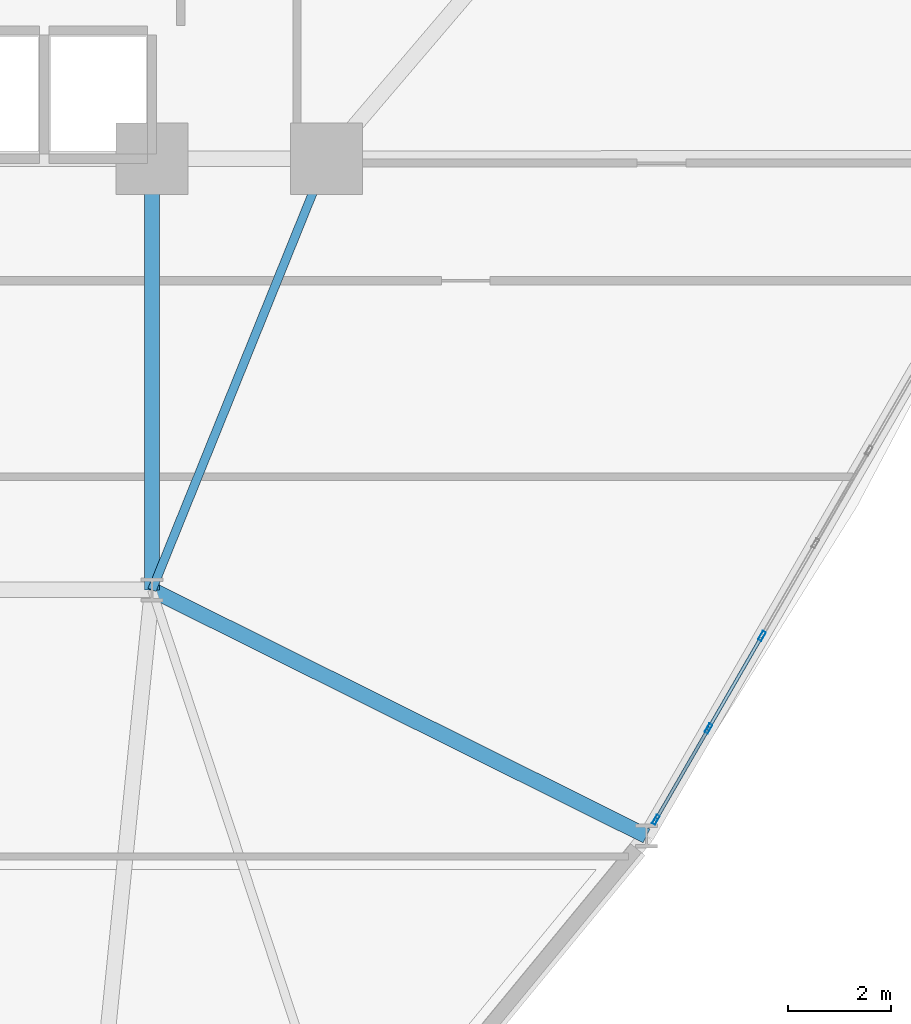
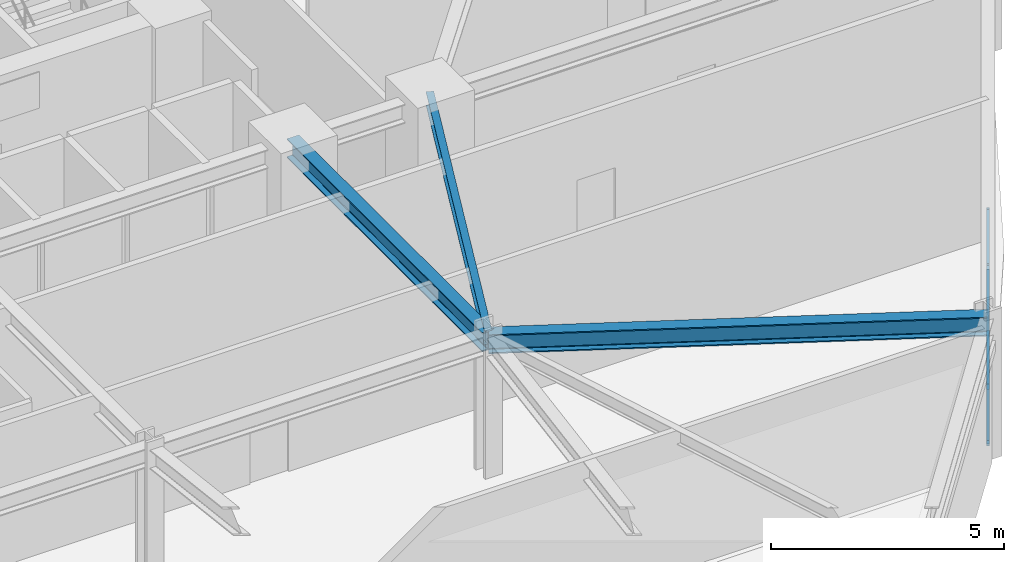
# One storey, part 6 of 20: 8 members, 3 beams, 1 element without a shape of its own.
"""IFC4 building model written with IfcOpenShell, lengths in metres."""

from ifc_helpers import new_model, si_unit, derived_unit, direction, frame, origin, origin_2d, place, context, subcontext, project, spatial, hollow_rectangle, i_section, extrude, source, transform, mapped, material, layer, layer_set, material_profile, profile_set, type_object, element, aggregate, save


model = new_model("IFC4")

# Units and contexts
model_context = context("Model", 3, precision=1e-05, world=origin(), true_north=direction((0.0, 1.0)))
body_context = subcontext(model_context, "Body", "Model", "MODEL_VIEW")
ifc_project = project(units=[si_unit("LENGTHUNIT", "METRE"), si_unit("AREAUNIT", "SQUARE_METRE"), si_unit("VOLUMEUNIT", "CUBIC_METRE"), si_unit("PLANEANGLEUNIT", "RADIAN"), si_unit("MASSUNIT", "GRAM", prefix="KILO"), derived_unit("THERMALTRANSMITTANCEUNIT", [(si_unit("POWERUNIT", "WATT"), 1), (si_unit("LENGTHUNIT", "METRE"), -2), (si_unit("THERMODYNAMICTEMPERATUREUNIT", "KELVIN"), -1)])], contexts=[model_context])

# Site, building, storey
site_placement = place(None, origin())
site = spatial("IfcSite", under=ifc_project, at=site_placement, CompositionType="ELEMENT")
building_placement = place(site_placement, origin())
building = spatial("IfcBuilding", under=site, at=building_placement, Name="Korsvarv Bourse and Concert Hall", CompositionType="ELEMENT")
storey_placement = place(building_placement, frame((0.0, 0.0, 67.800048828125)))
storey = spatial("IfcBuildingStorey", under=building, at=storey_placement, Name="L16", CompositionType="ELEMENT", Elevation=67.800048828125)

# Beams
ifc_material_1 = material(Name="Steel S355", Category="steel")
ifc_material_profile_1 = material_profile(ifc_material_1, i_section(OverallWidth=0.300048828125, OverallDepth=0.5, WebThickness=0.014404296875, FlangeThickness=0.028076171875, FilletRadius=0.02392578125, at=origin_2d()), Name="HEB 500")
ifc_profile_set_1 = profile_set([ifc_material_profile_1], Name="Steel S355")
beam_type_1 = type_object("IfcBeamType", Name="BM-HEB500", PredefinedType="BEAM", material=ifc_profile_set_1)
shared_shape_1 = source(origin(), body_context, "Body", "SweptSolid", [
    extrude(i_section(OverallWidth=0.300048828125, OverallDepth=0.5, WebThickness=0.014404296875, FlangeThickness=0.028076171875, FilletRadius=0.02392578125, at=origin_2d()), origin(), (0.0, 0.0, 1.0), 8.39990234375),
])
beam_1_placement = place(storey_placement, frame((44.39990234375, 24.0, 3.429931640625), z_axis=(0.0, 1.0, 0.0), x_axis=(-1.0, 0.0, 0.0)))
element("IfcBeam", 1, at=beam_1_placement, inside=storey, type_object=beam_type_1, Name="L16 beam B-07", PredefinedType="BEAM", context=body_context, shape_type="MappedRepresentation", body=[
    mapped(shared_shape_1, transform((0.0, 0.0, 0.0), scale=1.0)),
])
shared_shape_2 = source(origin(), body_context, "Body", "SweptSolid", [
    extrude(i_section(OverallWidth=0.300048828125, OverallDepth=0.5, WebThickness=0.014404296875, FlangeThickness=0.028076171875, FilletRadius=0.02392578125, at=origin_2d()), origin(), (0.0, 0.0, 1.0), 10.760009765625),
])
beam_2_placement = place(storey_placement, frame((54.033447265625, 19.206787109375, 3.429931640625), z_axis=(-0.89530128692, 0.445461115743, 0.0), x_axis=(-0.445461115743, -0.89530128692, 0.0)))
element("IfcBeam", 2, at=beam_2_placement, inside=storey, type_object=beam_type_1, Name="L16 beam B-07", PredefinedType="BEAM", context=body_context, shape_type="MappedRepresentation", body=[
    mapped(shared_shape_2, transform((0.0, 0.0, 0.0), scale=1.0)),
])
ifc_material_profile_2 = material_profile(ifc_material_1, i_section(OverallWidth=0.169921875, OverallDepth=0.360107421875, WebThickness=0.008056640625, FlangeThickness=0.0126953125, FilletRadius=0.01806640625, at=origin_2d()), Name="IPE 360")
ifc_profile_set_2 = profile_set([ifc_material_profile_2], Name="Steel S355")
beam_type_2 = type_object("IfcBeamType", Name="BM-IPE360", PredefinedType="JOIST", material=ifc_profile_set_2)
shared_shape_3 = source(origin(), body_context, "Body", "SweptSolid", [
    extrude(i_section(OverallWidth=0.169921875, OverallDepth=0.360107421875, WebThickness=0.008056640625, FlangeThickness=0.0126953125, FilletRadius=0.01806640625, at=origin_2d()), origin(), (0.0, 0.0, 1.0), 9.06201171875),
])
beam_3_placement = place(storey_placement, frame((47.800048828125, 32.39990234375, 3.5), z_axis=(-0.375210394783, -0.926939674222, 0.0), x_axis=(0.926939674222, -0.375210394783, 0.0)))
element("IfcBeam", 3, at=beam_3_placement, inside=storey, type_object=beam_type_2, Name="L16 beam J-06", PredefinedType="JOIST", context=body_context, shape_type="MappedRepresentation", body=[
    mapped(shared_shape_3, transform((0.0, 0.0, 0.0), scale=1.0)),
])

# Curtain wall, members
ifc_material_2 = material(Name="Anodised aluminium and triple low-E glazing", Category="glass")
ifc_layer = layer(ifc_material_2, 0.219970703125)
ifc_layer_set = layer_set([ifc_layer], Name="Anodised aluminium and triple low-E glazing")
curtain_wall_type = type_object("IfcCurtainWallType", Name="CW-SYS-1", PredefinedType="NOTDEFINED", material=ifc_layer_set)
curtain_wall_placement = place(storey_placement, origin())
curtain_wall = element("IfcCurtainWall", 4, at=curtain_wall_placement, inside=storey, type_object=curtain_wall_type, Name="L16 CW1 curtain wall CW-L16-F11", PredefinedType="NOTDEFINED")
ifc_material_3 = material(Name="Extruded aluminium EN AW-6063 T66", Category="aluminium")
ifc_material_profile_3 = material_profile(ifc_material_3, hollow_rectangle(XDim=0.070068359375, YDim=0.18994140625, WallThickness=0.0048828125, at=origin_2d()), Name="ALU-M 70x190")
ifc_profile_set_3 = profile_set([ifc_material_profile_3], Name="Extruded aluminium EN AW-6063 T66")
member_type_1 = type_object("IfcMemberType", Name="CWM-190", PredefinedType="MULLION", material=ifc_profile_set_3)
shared_shape_4 = source(origin(), body_context, "Body", "SweptSolid", [
    extrude(hollow_rectangle(XDim=0.070068359375, YDim=0.18994140625, WallThickness=0.0048828125, at=origin_2d()), origin(), (0.0, 0.0, 1.0), 3.22998046875),
])
member_1_placement = place(storey_placement, frame((54.216552734375, 19.52392578125, 0.0), z_axis=(0.0, 0.0, 1.0), x_axis=(-0.86602191759, 0.500006038217, 0.0)))
member_1 = element("IfcMember", 5, at=member_1_placement, type_object=member_type_1, Name="CW1 mullion 1", PredefinedType="MULLION", context=body_context, shape_type="MappedRepresentation", body=[
    mapped(shared_shape_4, transform((0.0, 0.0, 0.0), scale=1.0)),
])
member_2_placement = place(storey_placement, frame((55.2412109375, 21.298828125, 0.0), z_axis=(0.0, 0.0, 1.0), x_axis=(-0.86602191759, 0.500006038217, 0.0)))
member_2 = element("IfcMember", 6, at=member_2_placement, type_object=member_type_1, Name="CW1 mullion 2", PredefinedType="MULLION", context=body_context, shape_type="MappedRepresentation", body=[
    mapped(shared_shape_4, transform((0.0, 0.0, 0.0), scale=1.0)),
])
member_3_placement = place(storey_placement, frame((56.283447265625, 23.10400390625, 0.0), z_axis=(0.0, 0.0, 1.0), x_axis=(-0.86602191759, 0.500006038217, 0.0)))
member_3 = element("IfcMember", 7, at=member_3_placement, type_object=member_type_1, Name="CW1 mullion 3", PredefinedType="MULLION", context=body_context, shape_type="MappedRepresentation", body=[
    mapped(shared_shape_4, transform((0.0, 0.0, 0.0), scale=1.0)),
])
ifc_material_profile_4 = material_profile(ifc_material_3, hollow_rectangle(XDim=0.06494140625, YDim=0.139892578125, WallThickness=0.00390625, at=origin_2d()), Name="ALU-T 65x140")
ifc_profile_set_4 = profile_set([ifc_material_profile_4], Name="Extruded aluminium EN AW-6063 T66")
member_type_2 = type_object("IfcMemberType", Name="CWT-140", PredefinedType="USERDEFINED", material=ifc_profile_set_4)
shared_shape_5 = source(origin(), body_context, "Body", "SweptSolid", [
    extrude(hollow_rectangle(XDim=0.06494140625, YDim=0.139892578125, WallThickness=0.00390625, at=origin_2d()), origin(), (0.0, 0.0, 1.0), 1.979248046875),
])
member_4_placement = place(storey_placement, frame((54.234130859375, 19.554443359375, 0.032470703125), z_axis=(0.500039200885, 0.86600276996, 0.0), x_axis=(-0.86600276996, 0.500039200885, 0.0)))
member_4 = element("IfcMember", 8, at=member_4_placement, type_object=member_type_2, Name="CW1 transom 1.1", ObjectType="TRANSOM", PredefinedType="USERDEFINED", context=body_context, shape_type="MappedRepresentation", body=[
    mapped(shared_shape_5, transform((0.0, 0.0, 0.0), scale=1.0)),
])
member_5_placement = place(storey_placement, frame((54.234130859375, 19.554443359375, 3.197509765625), z_axis=(0.500039200885, 0.86600276996, 0.0), x_axis=(-0.86600276996, 0.500039200885, 0.0)))
member_5 = element("IfcMember", 9, at=member_5_placement, type_object=member_type_2, Name="CW1 transom 1.2", ObjectType="TRANSOM", PredefinedType="USERDEFINED", context=body_context, shape_type="MappedRepresentation", body=[
    mapped(shared_shape_5, transform((0.0, 0.0, 0.0), scale=1.0)),
])
ifc_material_profile_5 = material_profile(ifc_material_3, hollow_rectangle(XDim=0.06494140625, YDim=0.1650390625, WallThickness=0.0048828125, at=origin_2d()), Name="ALU-M 65x165")
ifc_profile_set_5 = profile_set([ifc_material_profile_5], Name="Extruded aluminium EN AW-6063 T66")
member_type_3 = type_object("IfcMemberType", Name="CWM-165", PredefinedType="MULLION", material=ifc_profile_set_5)
shared_shape_6 = source(origin(), body_context, "Body", "SweptSolid", [
    extrude(hollow_rectangle(XDim=0.06494140625, YDim=0.1650390625, WallThickness=0.0048828125, at=origin_2d()), origin(), (0.0, 0.0, 1.0), 3.677978515625),
])
member_6_placement = place(storey_placement, frame((54.234130859375, 19.554443359375, 0.06494140625), z_axis=(0.269092065497, 0.466032410423, 0.842854229818), x_axis=(-0.86600276996, 0.500039200885, 0.0)))
member_6 = element("IfcMember", 10, at=member_6_placement, type_object=member_type_3, Name="CW1 diagonal mullion 1", PredefinedType="MULLION", context=body_context, shape_type="MappedRepresentation", body=[
    mapped(shared_shape_6, transform((0.0, 0.0, 0.0), scale=1.0)),
])
shared_shape_7 = source(origin(), body_context, "Body", "SweptSolid", [
    extrude(hollow_rectangle(XDim=0.06494140625, YDim=0.139892578125, WallThickness=0.00390625, at=origin_2d()), origin(), (0.0, 0.0, 1.0), 2.0146484375),
])
member_7_placement = place(storey_placement, frame((55.2587890625, 21.3291015625, 0.032470703125), z_axis=(0.500023174947, 0.866012023309, 0.0), x_axis=(-0.866012023309, 0.500023174947, 0.0)))
member_7 = element("IfcMember", 11, at=member_7_placement, type_object=member_type_2, Name="CW1 transom 2.1", ObjectType="TRANSOM", PredefinedType="USERDEFINED", context=body_context, shape_type="MappedRepresentation", body=[
    mapped(shared_shape_7, transform((0.0, 0.0, 0.0), scale=1.0)),
])
member_8_placement = place(storey_placement, frame((55.2587890625, 21.3291015625, 3.197509765625), z_axis=(0.500023174947, 0.866012023309, 0.0), x_axis=(-0.866012023309, 0.500023174947, 0.0)))
member_8 = element("IfcMember", 12, at=member_8_placement, type_object=member_type_2, Name="CW1 transom 2.2", ObjectType="TRANSOM", PredefinedType="USERDEFINED", context=body_context, shape_type="MappedRepresentation", body=[
    mapped(shared_shape_7, transform((0.0, 0.0, 0.0), scale=1.0)),
])
aggregate(curtain_wall, [member_1, member_2, member_3, member_4, member_5, member_6, member_7, member_8])

save(model, "model.ifc")
